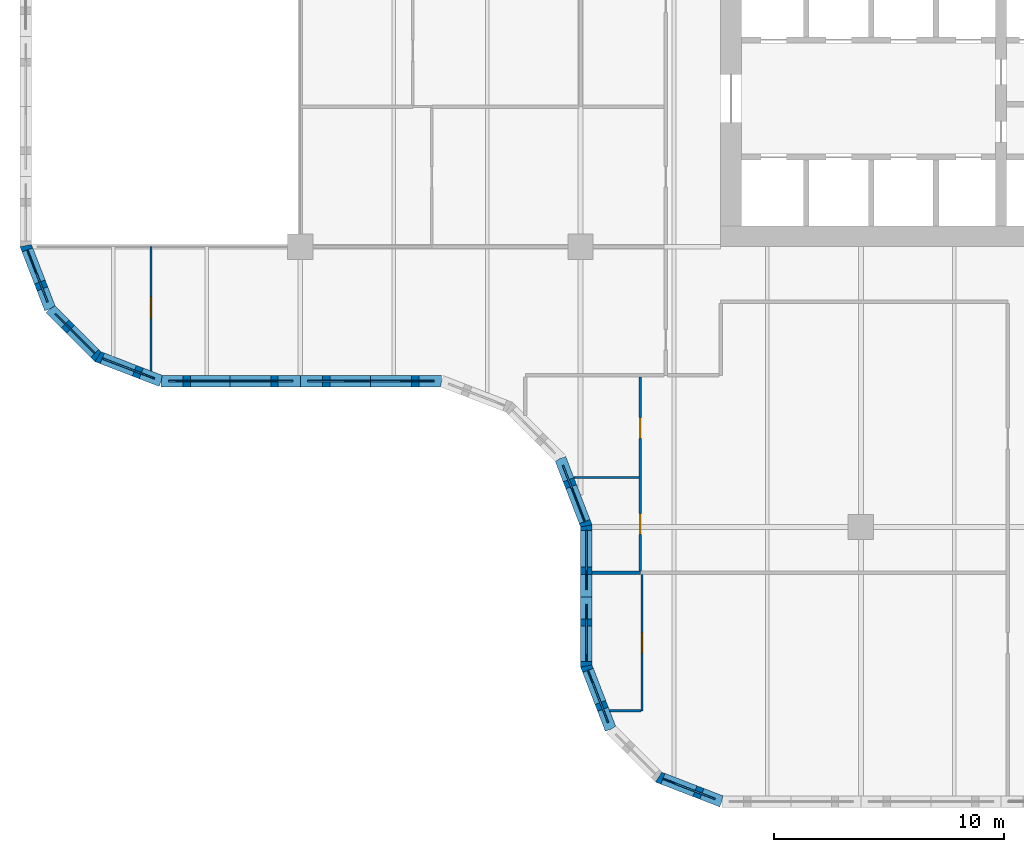
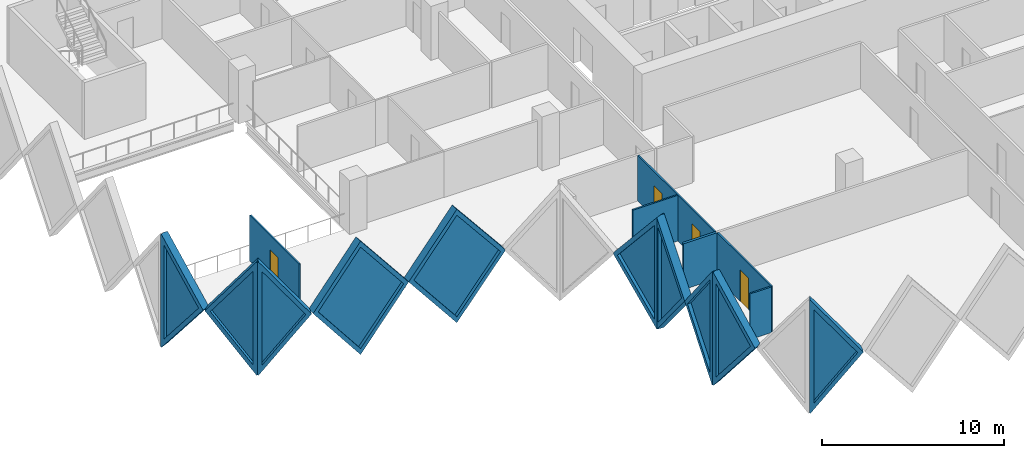
# One storey, part 4 of 19: 16 walls, 10 plates, 4 doors, 14 openings.
"""IFC4 building model written with IfcOpenShell, lengths in metres."""

from ifc_helpers import new_model, si_unit, direction, frame, frame_2d, origin, place, context, subcontext, project, spatial, polyline, rectangle, outline, extrude, faceted_brep, source, transform, mapped, material, layer, layer_set, type_object, element, fill, save


model = new_model("IFC4")

# Units and contexts
model_context = context("Model", 3, precision=1e-05, world=origin(), true_north=direction((0.0, 1.0)))
body_context = subcontext(model_context, "Body", "Model", "MODEL_VIEW")
ifc_project = project(units=[si_unit("LENGTHUNIT", "METRE"), si_unit("AREAUNIT", "SQUARE_METRE"), si_unit("VOLUMEUNIT", "CUBIC_METRE"), si_unit("PLANEANGLEUNIT", "RADIAN"), si_unit("MASSUNIT", "GRAM", prefix="KILO")], contexts=[model_context])

# Site, building, storey
site_placement = place(None, origin())
site = spatial("IfcSite", under=ifc_project, at=site_placement, CompositionType="ELEMENT")
building_placement = place(site_placement, origin())
building = spatial("IfcBuilding", under=site, at=building_placement, Name="Tessera Gate Towers", CompositionType="ELEMENT")
storey_placement = place(building_placement, frame((0.0, 0.0, 29.60009765625)))
storey = spatial("IfcBuildingStorey", under=building, at=storey_placement, Name="L06", CompositionType="ELEMENT", Elevation=29.60009765625)

# Wall, opening, door
ifc_material_1 = material(Name="Glass", Category="glass")
ifc_layer_1 = layer(ifc_material_1, 0.10009765625)
ifc_layer_set_1 = layer_set([ifc_layer_1], Name="GLAZED PARTITION 100")
wall_type_1 = type_object("IfcWallType", Name="GLAZED PARTITION 100", PredefinedType="PARTITIONING", material=ifc_layer_set_1)
wall_1_placement = place(storey_placement, frame((5.699951171875, 18.990234375, 0.0), z_axis=(0.0, 0.0, 1.0), x_axis=(0.0, 1.0, 0.0)))
wall_1 = element("IfcWall", 1, at=wall_1_placement, inside=storey, type_object=wall_type_1, Name="T1-L06-PW-023", PredefinedType="PARTITIONING", context=body_context, shape_type="SweptSolid", body=[
    extrude(rectangle(XDim=5.40966796875, YDim=0.10009765625, at=frame_2d((2.704833984375, 0.0))), origin(), (0.0, 0.0, 1.0), 3.06689453125),
])
shared_shape_1 = source(origin(), body_context, "Body", "SweptSolid", [
    extrude(rectangle(XDim=0.89990234375, YDim=2.10009765625, at=frame_2d((0.449951171875, 1.050048828125))), frame((0.0, 0.06005859375, 0.0), z_axis=(0.0, -1.0, 0.0), x_axis=(1.0, 0.0, 0.0)), (0.0, 0.0, 1.0), 0.1201171875),
])
opening_1_placement = place(wall_1_placement, frame((2.300048828125, 0.0, 0.0)))
opening_1 = element("IfcOpeningElement", 2, at=opening_1_placement, cuts=wall_1, Name="Opening D690-A02-01", PredefinedType="OPENING", context=body_context, shape_type="MappedRepresentation", body=[
    mapped(shared_shape_1, transform((0.0, 0.0, 0.0), scale=1.0)),
])
ifc_material_2 = material(Name="Glass in aluminium frame", Category="aluminium")
door_type_1 = type_object("IfcDoorType", Name="GLAZED DOOR 900 NOT RATED", OperationType="NOTDEFINED", PredefinedType="DOOR", material=ifc_material_2)
shared_shape_2 = source(origin(), body_context, "Body", "SweptSolid", [
    extrude(rectangle(XDim=0.89990234375, YDim=2.10009765625, at=frame_2d((0.449951171875, 1.050048828125))), frame((0.0, 0.02490234375, 0.0), z_axis=(0.0, -1.0, 0.0), x_axis=(1.0, 0.0, 0.0)), (0.0, 0.0, 1.0), 0.050048828125),
])
door_1_placement = place(opening_1_placement, origin())
door_1 = element("IfcDoor", 3, at=door_1_placement, inside=storey, type_object=door_type_1, Name="T1-L06-PD-014", OperationType="SINGLE_SWING_LEFT", OverallHeight=2.10009765625, OverallWidth=0.89990234375, PredefinedType="DOOR", context=body_context, shape_type="MappedRepresentation", body=[
    mapped(shared_shape_2, transform((0.0, 0.0, 0.0), scale=1.0)),
])
fill(opening_1, door_1)

# Wall
ifc_material_3 = material(Name="Gypsum board on steel studs", Category="steel")
ifc_layer_2 = layer(ifc_material_3, 0.10009765625)
ifc_layer_set_2 = layer_set([ifc_layer_2], Name="PARTITION 100")
wall_type_2 = type_object("IfcWallType", Name="PARTITION 100", PredefinedType="PARTITIONING", material=ifc_layer_set_2)
wall_2_placement = place(storey_placement, frame((25.668701171875, 4.199951171875, 0.0), z_axis=(0.0, 0.0, 1.0), x_axis=(1.0, 0.0, 0.0)))
element("IfcWall", 4, at=wall_2_placement, inside=storey, type_object=wall_type_2, Name="T1-L06-PW-003", PredefinedType="PARTITIONING", context=body_context, shape_type="SweptSolid", body=[
    extrude(rectangle(XDim=1.355224609375, YDim=0.10009765625, at=frame_2d((0.677734375, 0.0))), origin(), (0.0, 0.0, 1.0), 3.06689453125),
])

# Wall, opening, door
wall_3_placement = place(storey_placement, frame((27.074951171875, 4.199951171875, 0.0), z_axis=(0.0, 0.0, 1.0), x_axis=(0.0, 1.0, 0.0)))
wall_3 = element("IfcWall", 5, at=wall_3_placement, inside=storey, type_object=wall_type_2, Name="T1-L06-PW-004", PredefinedType="PARTITIONING", context=body_context, shape_type="SweptSolid", body=[
    extrude(rectangle(XDim=5.924072265625, YDim=0.10009765625, at=frame_2d((2.9619140625, 0.0))), origin(), (0.0, 0.0, 1.0), 3.06689453125),
])
opening_2_placement = place(wall_3_placement, frame((2.5, 0.0, 0.0)))
opening_2 = element("IfcOpeningElement", 6, at=opening_2_placement, cuts=wall_3, Name="Opening D190-A02-13", PredefinedType="OPENING", context=body_context, shape_type="MappedRepresentation", body=[
    mapped(shared_shape_1, transform((0.0, 0.0, 0.0), scale=1.0)),
])
ifc_material_4 = material(Name="Timber door leaf in steel frame", Category="steel")
door_type_2 = type_object("IfcDoorType", Name="INTERNAL DOOR 900 NOT RATED", OperationType="NOTDEFINED", PredefinedType="DOOR", material=ifc_material_4)
door_2_placement = place(opening_2_placement, origin())
door_2 = element("IfcDoor", 7, at=door_2_placement, inside=storey, type_object=door_type_2, Name="T1-L06-PD-022", OperationType="SINGLE_SWING_LEFT", OverallHeight=2.10009765625, OverallWidth=0.89990234375, PredefinedType="DOOR", context=body_context, shape_type="MappedRepresentation", body=[
    mapped(shared_shape_2, transform((0.0, 0.0, 0.0), scale=1.0)),
])
fill(opening_2, door_2)

# Wall, openings, doors
wall_4_placement = place(storey_placement, frame((27.0, 10.27587890625, 0.0), z_axis=(0.0, 0.0, 1.0), x_axis=(0.0, 1.0, 0.0)))
wall_4 = element("IfcWall", 8, at=wall_4_placement, inside=storey, type_object=wall_type_2, Name="T1-L06-PW-010", PredefinedType="PARTITIONING", context=body_context, shape_type="SweptSolid", body=[
    extrude(rectangle(XDim=8.4482421875, YDim=0.10009765625, at=frame_2d((4.22412109375, 0.0))), origin(), (0.0, 0.0, 1.0), 3.06689453125),
])
opening_3_placement = place(wall_4_placement, frame((1.60009765625, 0.0, 0.0)))
opening_3 = element("IfcOpeningElement", 9, at=opening_3_placement, cuts=wall_4, Name="Opening D190-A02-02", PredefinedType="OPENING", context=body_context, shape_type="MappedRepresentation", body=[
    mapped(shared_shape_1, transform((0.0, 0.0, 0.0), scale=1.0)),
])
opening_4_placement = place(wall_4_placement, frame((5.778564453125, 0.0, 0.0)))
opening_4 = element("IfcOpeningElement", 10, at=opening_4_placement, cuts=wall_4, Name="Opening D190-A02-06", PredefinedType="OPENING", context=body_context, shape_type="MappedRepresentation", body=[
    mapped(shared_shape_1, transform((0.0, 0.0, 0.0), scale=1.0)),
])
door_3_placement = place(opening_3_placement, origin())
door_3 = element("IfcDoor", 11, at=door_3_placement, inside=storey, type_object=door_type_2, Name="T1-L06-PD-003", OperationType="SINGLE_SWING_LEFT", OverallHeight=2.10009765625, OverallWidth=0.89990234375, PredefinedType="DOOR", context=body_context, shape_type="MappedRepresentation", body=[
    mapped(shared_shape_2, transform((0.0, 0.0, 0.0), scale=1.0)),
])
fill(opening_3, door_3)
door_4_placement = place(opening_4_placement, origin())
door_4 = element("IfcDoor", 12, at=door_4_placement, inside=storey, type_object=door_type_2, Name="T1-L06-PD-007", OperationType="SINGLE_SWING_LEFT", OverallHeight=2.10009765625, OverallWidth=0.89990234375, PredefinedType="DOOR", context=body_context, shape_type="MappedRepresentation", body=[
    mapped(shared_shape_2, transform((0.0, 0.0, 0.0), scale=1.0)),
])
fill(opening_4, door_4)

# Walls
wall_5_placement = place(storey_placement, frame((24.104736328125, 14.35498046875, 0.0), z_axis=(0.0, 0.0, 1.0), x_axis=(1.0, 0.0, 0.0)))
element("IfcWall", 13, at=wall_5_placement, inside=storey, type_object=wall_type_2, Name="T1-L06-PW-013", PredefinedType="PARTITIONING", context=body_context, shape_type="SweptSolid", body=[
    extrude(rectangle(XDim=2.84423828125, YDim=0.10009765625, at=frame_2d((1.422119140625, 0.0))), origin(), (0.0, 0.0, 1.0), 3.06689453125),
])
ifc_material_5 = material(Name="Gypsum board on steel studs, mineral wool", Category="steel")
ifc_layer_3 = layer(ifc_material_5, 0.14990234375)
ifc_layer_set_3 = layer_set([ifc_layer_3], Name="TENANCY WALL 150")
wall_type_3 = type_object("IfcWallType", Name="TENANCY WALL 150", PredefinedType="PARTITIONING", material=ifc_layer_set_3)
wall_6_placement = place(storey_placement, frame((24.89990234375, 10.199951171875, 0.0), z_axis=(0.0, 0.0, 1.0), x_axis=(1.0, 0.0, 0.0)))
element("IfcWall", 14, at=wall_6_placement, inside=storey, type_object=wall_type_3, Name="T1-L06-PW-008", PredefinedType="PARTITIONING", context=body_context, shape_type="SweptSolid", body=[
    extrude(rectangle(XDim=2.10009765625, YDim=0.14990234375, at=frame_2d((1.050048828125, 0.0))), origin(), (0.0, 0.0, 1.0), 3.06689453125),
])

# Wall, opening, plate
ifc_material_6 = material(Name="Precast concrete C60/75 white", Category="concrete")
ifc_layer_4 = layer(ifc_material_6, 0.5)
ifc_layer_set_4 = layer_set([ifc_layer_4], Name="TS1 tessera")
wall_type_4 = type_object("IfcWallType", Name="TS1 tessera", PredefinedType="SOLIDWALL", material=ifc_layer_set_4)
shared_shape_3 = source(origin(), body_context, "Body", "Brep", [
    faceted_brep([(3.00341796875, -0.25, 0.0), (6.053466796875, -0.25, 3.800048828125), (3.00341796875, -0.25, 7.599853515625), (0.0, -0.25, 3.800048828125), (0.046630859375, 0.25, 3.85888671875), (3.00341796875, 0.25, 7.599853515625), (6.053466796875, 0.25, 3.800048828125), (3.00341796875, 0.25, 0.0), (0.046630859375, 0.25, 3.7412109375), (0.0, 0.0, 3.800048828125)], [[[0, 1, 2, 3]], [[4, 5, 6, 7, 8]], [[7, 6, 1, 0]], [[6, 5, 2, 1]], [[5, 4, 9, 3, 2]], [[8, 7, 0, 3, 9]], [[8, 9, 4]]]),
])
wall_7_placement = place(storey_placement, frame((6.146484375, 18.550048828125, -3.800048828125), z_axis=(0.0, 0.0, 1.0), x_axis=(1.0, 0.0, 0.0)))
wall_7 = element("IfcWall", 15, at=wall_7_placement, inside=storey, type_object=wall_type_4, Name="Precast tessera T1 TS1-0044", PredefinedType="SOLIDWALL", context=body_context, shape_type="MappedRepresentation", body=[
    mapped(shared_shape_3, transform((0.0, 0.0, 0.0), scale=1.0)),
])
shared_shape_4 = source(origin(), body_context, "Body", "SweptSolid", [
    extrude(outline(polyline([(3.0048828125, 0.401123046875), (5.73291015625, 3.800048828125), (3.0048828125, 7.19873046875), (0.318603515625, 3.800048828125), (3.0048828125, 0.401123046875)])), frame((0.0, 0.260009765625, 0.0), z_axis=(0.0, -1.0, 0.0), x_axis=(1.0, 0.0, 0.0)), (0.0, 0.0, 1.0), 0.52001953125),
])
opening_5_placement = place(wall_7_placement, origin())
opening_5 = element("IfcOpeningElement", 16, at=opening_5_placement, cuts=wall_7, Name="Opening T1-PL2-0084", PredefinedType="OPENING", context=body_context, shape_type="MappedRepresentation", body=[
    mapped(shared_shape_4, transform((0.0, 0.0, 0.0), scale=1.0)),
])
ifc_material_7 = material(Name="Low-e laminated glass", Category="glass")
ifc_layer_5 = layer(ifc_material_7, 0.06005859375)
ifc_layer_set_5 = layer_set([ifc_layer_5], Name="PL2 rhombic pane")
plate_type = type_object("IfcPlateType", Name="PL2 rhombic pane", PredefinedType="SHEET", material=ifc_layer_set_5)
shared_shape_5 = source(origin(), body_context, "Body", "SweptSolid", [
    extrude(outline(polyline([(3.0048828125, 0.401123046875), (5.73291015625, 3.800048828125), (3.0048828125, 7.19873046875), (0.318603515625, 3.800048828125), (3.0048828125, 0.401123046875)])), frame((0.0, 0.030029296875, 0.0), z_axis=(0.0, -1.0, 0.0), x_axis=(1.0, 0.0, 0.0)), (0.0, 0.0, 1.0), 0.06005859375),
])
plate_1_placement = place(opening_5_placement, origin())
plate_1 = element("IfcPlate", 17, at=plate_1_placement, inside=storey, type_object=plate_type, Name="Glass pane T1 PL2-0084", PredefinedType="SHEET", context=body_context, shape_type="MappedRepresentation", body=[
    mapped(shared_shape_5, transform((0.0, 0.0, 0.0), scale=1.0)),
])
fill(opening_5, plate_1)

ifc_material_8 = material(Name="Precast concrete C60/75 white", Category="concrete")
ifc_layer_6 = layer(ifc_material_8, 0.5)
ifc_layer_set_6 = layer_set([ifc_layer_6], Name="TS3 corner tessera")
wall_type_5 = type_object("IfcWallType", Name="TS3 corner tessera", PredefinedType="SOLIDWALL", material=ifc_layer_set_6)
shared_shape_6 = source(origin(), body_context, "Body", "Brep", [
    faceted_brep([(3.00341796875, -0.25, 0.0), (3.050048828125, -0.25, 0.06005859375), (3.050048828125, -0.25, 7.539794921875), (3.00341796875, -0.25, 7.599853515625), (0.0, -0.25, 3.800048828125), (0.0, 0.25, 3.800048828125), (2.956787109375, 0.25, 7.541015625), (2.956787109375, 0.25, 0.058837890625), (3.00341796875, 0.000244140625, 0.0), (3.00341796875, 0.000244140625, 7.599853515625)], [[[0, 1, 2, 3, 4]], [[5, 6, 7]], [[1, 0, 8]], [[9, 3, 2]], [[6, 5, 4, 3, 9]], [[5, 7, 8, 0, 4]], [[1, 8, 7, 6, 9, 2]]]),
])
wall_8_placement = place(storey_placement, frame((24.64990234375, 9.14990234375, -3.800048828125), z_axis=(0.0, 0.0, 1.0), x_axis=(0.0, -1.0, 0.0)))
wall_8 = element("IfcWall", 18, at=wall_8_placement, inside=storey, type_object=wall_type_5, Name="Precast corner tessera T1 TS3-0117", PredefinedType="SOLIDWALL", context=body_context, shape_type="MappedRepresentation", body=[
    mapped(shared_shape_6, transform((0.0, 0.0, 0.0), scale=1.0)),
])
shared_shape_7 = source(origin(), body_context, "Body", "SweptSolid", [
    extrude(outline(polyline([(2.803466796875, 6.94384765625), (0.318603515625, 3.800048828125), (2.803466796875, 0.65625), (2.803466796875, 6.94384765625)])), frame((0.0, 0.260009765625, 0.0), z_axis=(0.0, -1.0, 0.0), x_axis=(1.0, 0.0, 0.0)), (0.0, 0.0, 1.0), 0.52001953125),
])
opening_6_placement = place(wall_8_placement, origin())
opening_6 = element("IfcOpeningElement", 19, at=opening_6_placement, cuts=wall_8, Name="Opening T1-PL2-0090", PredefinedType="OPENING", context=body_context, shape_type="MappedRepresentation", body=[
    mapped(shared_shape_7, transform((0.0, 0.0, 0.0), scale=1.0)),
])
shared_shape_8 = source(origin(), body_context, "Body", "SweptSolid", [
    extrude(outline(polyline([(2.803466796875, 6.94384765625), (0.318603515625, 3.800048828125), (2.803466796875, 0.65625), (2.803466796875, 6.94384765625)])), frame((0.0, 0.030029296875, 0.0), z_axis=(0.0, -1.0, 0.0), x_axis=(1.0, 0.0, 0.0)), (0.0, 0.0, 1.0), 0.06005859375),
])
plate_2_placement = place(opening_6_placement, origin())
plate_2 = element("IfcPlate", 20, at=plate_2_placement, inside=storey, type_object=plate_type, Name="Glass pane T1 PL2-0090", PredefinedType="SHEET", context=body_context, shape_type="MappedRepresentation", body=[
    mapped(shared_shape_8, transform((0.0, 0.0, 0.0), scale=1.0)),
])
fill(opening_6, plate_2)

shared_shape_9 = source(origin(), body_context, "Body", "Brep", [
    faceted_brep([(0.046630859375, -0.25, 0.0), (2.9970703125, -0.25, 3.800048828125), (0.046630859375, -0.25, 7.599853515625), (0.0, -0.25, 7.541015625), (0.0, -0.25, 0.058837890625), (0.09326171875, 0.25, 7.539794921875), (2.9443359375, 0.25, 3.8681640625), (2.9443359375, 0.25, 3.73193359375), (0.09326171875, 0.25, 0.06005859375), (2.9970703125, 0.00048828125, 3.800048828125), (0.046630859375, 0.0, 0.0), (0.046630859375, 0.0, 7.599853515625)], [[[0, 1, 2, 3, 4]], [[5, 6, 7, 8]], [[8, 7, 9, 1, 0, 10]], [[6, 5, 11, 2, 1, 9]], [[3, 2, 11]], [[10, 0, 4]], [[8, 10, 4, 3, 11, 5]], [[7, 6, 9]]]),
])
wall_9_placement = place(storey_placement, frame((0.233154296875, 24.489990234375, -3.800048828125), z_axis=(0.0, 0.0, 1.0), x_axis=(0.359901446078, -0.932990326376, 0.0)))
wall_9 = element("IfcWall", 21, at=wall_9_placement, inside=storey, type_object=wall_type_5, Name="Precast corner tessera T1 TS3-0110", PredefinedType="SOLIDWALL", context=body_context, shape_type="MappedRepresentation", body=[
    mapped(shared_shape_9, transform((0.0, 0.0, 0.0), scale=1.0)),
])
shared_shape_10 = source(origin(), body_context, "Body", "SweptSolid", [
    extrude(outline(polyline([(0.24658203125, 0.665283203125), (2.6806640625, 3.800048828125), (0.24658203125, 6.934814453125), (0.24658203125, 0.665283203125)])), frame((0.0, 0.260009765625, 0.0), z_axis=(0.0, -1.0, 0.0), x_axis=(1.0, 0.0, 0.0)), (0.0, 0.0, 1.0), 0.52001953125),
])
opening_7_placement = place(wall_9_placement, origin())
opening_7 = element("IfcOpeningElement", 22, at=opening_7_placement, cuts=wall_9, Name="Opening T1-PL2-0081", PredefinedType="OPENING", context=body_context, shape_type="MappedRepresentation", body=[
    mapped(shared_shape_10, transform((0.0, 0.0, 0.0), scale=1.0)),
])
shared_shape_11 = source(origin(), body_context, "Body", "SweptSolid", [
    extrude(outline(polyline([(0.24658203125, 0.665283203125), (2.6806640625, 3.800048828125), (0.24658203125, 6.934814453125), (0.24658203125, 0.665283203125)])), frame((0.0, 0.030029296875, 0.0), z_axis=(0.0, -1.0, 0.0), x_axis=(1.0, 0.0, 0.0)), (0.0, 0.0, 1.0), 0.06005859375),
])
plate_3_placement = place(opening_7_placement, origin())
plate_3 = element("IfcPlate", 23, at=plate_3_placement, inside=storey, type_object=plate_type, Name="Glass pane T1 PL2-0081", PredefinedType="SHEET", context=body_context, shape_type="MappedRepresentation", body=[
    mapped(shared_shape_11, transform((0.0, 0.0, 0.0), scale=1.0)),
])
fill(opening_7, plate_3)

wall_10_placement = place(storey_placement, frame((24.63330078125, 6.18994140625, -3.800048828125), z_axis=(0.0, 0.0, 1.0), x_axis=(0.359901446078, -0.932990326376, 0.0)))
wall_10 = element("IfcWall", 24, at=wall_10_placement, inside=storey, type_object=wall_type_5, Name="Precast corner tessera T1 TS3-0118", PredefinedType="SOLIDWALL", context=body_context, shape_type="MappedRepresentation", body=[
    mapped(shared_shape_9, transform((0.0, 0.0, 0.0), scale=1.0)),
])
opening_8_placement = place(wall_10_placement, origin())
opening_8 = element("IfcOpeningElement", 25, at=opening_8_placement, cuts=wall_10, Name="Opening T1-PL2-0091", PredefinedType="OPENING", context=body_context, shape_type="MappedRepresentation", body=[
    mapped(shared_shape_10, transform((0.0, 0.0, 0.0), scale=1.0)),
])
plate_4_placement = place(opening_8_placement, origin())
plate_4 = element("IfcPlate", 26, at=plate_4_placement, inside=storey, type_object=plate_type, Name="Glass pane T1 PL2-0091", PredefinedType="SHEET", context=body_context, shape_type="MappedRepresentation", body=[
    mapped(shared_shape_11, transform((0.0, 0.0, 0.0), scale=1.0)),
])
fill(opening_8, plate_4)

shared_shape_12 = source(origin(), body_context, "Body", "Brep", [
    faceted_brep([(0.052978515625, -0.25, 0.0), (3.00341796875, -0.25, 3.800048828125), (0.052978515625, -0.25, 7.599853515625), (0.0, -0.25, 7.531494140625), (0.0, -0.25, 0.068359375), (0.10595703125, 0.25, 7.53173828125), (2.95703125, 0.25, 3.85986328125), (2.95703125, 0.25, 3.740234375), (0.10595703125, 0.25, 0.068115234375), (3.00341796875, 0.00048828125, 3.800048828125), (0.052978515625, 0.0, 0.0), (0.052978515625, 0.0, 7.599853515625)], [[[0, 1, 2, 3, 4]], [[5, 6, 7, 8]], [[8, 7, 9, 1, 0, 10]], [[6, 5, 11, 2, 1, 9]], [[3, 2, 11]], [[10, 0, 4]], [[8, 10, 4, 3, 11, 5]], [[7, 6, 9]]]),
])
wall_11_placement = place(storey_placement, frame((3.34423828125, 19.630859375, -3.800048828125), z_axis=(0.0, 0.0, 1.0), x_axis=(0.933007896601, -0.359855894603, 0.0)))
wall_11 = element("IfcWall", 27, at=wall_11_placement, inside=storey, type_object=wall_type_5, Name="Precast corner tessera T1 TS3-0112", PredefinedType="SOLIDWALL", context=body_context, shape_type="MappedRepresentation", body=[
    mapped(shared_shape_12, transform((0.0, 0.0, 0.0), scale=1.0)),
])
shared_shape_13 = source(origin(), body_context, "Body", "SweptSolid", [
    extrude(outline(polyline([(0.2529296875, 0.665283203125), (2.68701171875, 3.800048828125), (0.2529296875, 6.934814453125), (0.2529296875, 0.665283203125)])), frame((0.0, 0.260009765625, 0.0), z_axis=(0.0, -1.0, 0.0), x_axis=(1.0, 0.0, 0.0)), (0.0, 0.0, 1.0), 0.52001953125),
])
opening_9_placement = place(wall_11_placement, origin())
opening_9 = element("IfcOpeningElement", 28, at=opening_9_placement, cuts=wall_11, Name="Opening T1-PL2-0083", PredefinedType="OPENING", context=body_context, shape_type="MappedRepresentation", body=[
    mapped(shared_shape_13, transform((0.0, 0.0, 0.0), scale=1.0)),
])
shared_shape_14 = source(origin(), body_context, "Body", "SweptSolid", [
    extrude(outline(polyline([(0.2529296875, 0.665283203125), (2.68701171875, 3.800048828125), (0.2529296875, 6.934814453125), (0.2529296875, 0.665283203125)])), frame((0.0, 0.030029296875, 0.0), z_axis=(0.0, -1.0, 0.0), x_axis=(1.0, 0.0, 0.0)), (0.0, 0.0, 1.0), 0.06005859375),
])
plate_5_placement = place(opening_9_placement, origin())
plate_5 = element("IfcPlate", 29, at=plate_5_placement, inside=storey, type_object=plate_type, Name="Glass pane T1 PL2-0083", PredefinedType="SHEET", context=body_context, shape_type="MappedRepresentation", body=[
    mapped(shared_shape_14, transform((0.0, 0.0, 0.0), scale=1.0)),
])
fill(opening_9, plate_5)

wall_12_placement = place(storey_placement, frame((27.744384765625, 1.3310546875, -3.800048828125), z_axis=(0.0, 0.0, 1.0), x_axis=(0.932970071518, -0.359953949349, 0.0)))
wall_12 = element("IfcWall", 30, at=wall_12_placement, inside=storey, type_object=wall_type_5, Name="Precast corner tessera T1 TS3-0120", PredefinedType="SOLIDWALL", context=body_context, shape_type="MappedRepresentation", body=[
    mapped(shared_shape_12, transform((0.0, 0.0, 0.0), scale=1.0)),
])
opening_10_placement = place(wall_12_placement, origin())
opening_10 = element("IfcOpeningElement", 31, at=opening_10_placement, cuts=wall_12, Name="Opening T1-PL2-0093", PredefinedType="OPENING", context=body_context, shape_type="MappedRepresentation", body=[
    mapped(shared_shape_13, transform((0.0, 0.0, 0.0), scale=1.0)),
])
plate_6_placement = place(opening_10_placement, origin())
plate_6 = element("IfcPlate", 32, at=plate_6_placement, inside=storey, type_object=plate_type, Name="Glass pane T1 PL2-0093", PredefinedType="SHEET", context=body_context, shape_type="MappedRepresentation", body=[
    mapped(shared_shape_14, transform((0.0, 0.0, 0.0), scale=1.0)),
])
fill(opening_10, plate_6)

shared_shape_15 = source(origin(), body_context, "Body", "Brep", [
    faceted_brep([(2.944091796875, -0.25, 0.0), (2.9970703125, -0.25, 0.068115234375), (2.9970703125, -0.25, 7.53173828125), (2.944091796875, -0.25, 7.599853515625), (0.0, -0.25, 3.800048828125), (0.052978515625, 0.25, 3.868408203125), (2.89111328125, 0.25, 7.53173828125), (2.89111328125, 0.25, 0.068115234375), (0.052978515625, 0.25, 3.731689453125), (2.944091796875, 0.000244140625, 0.0), (2.944091796875, 0.000244140625, 7.599853515625), (0.0, 0.0, 3.800048828125)], [[[0, 1, 2, 3, 4]], [[5, 6, 7, 8]], [[1, 0, 9]], [[10, 3, 2]], [[6, 5, 11, 4, 3, 10]], [[8, 7, 9, 0, 4, 11]], [[8, 11, 5]], [[1, 9, 7, 6, 10, 2]]]),
])
wall_13_placement = place(storey_placement, frame((1.31201171875, 21.69384765625, -3.800048828125), z_axis=(0.0, 0.0, 1.0), x_axis=(0.707066050402, -0.707147509625, 0.0)))
wall_13 = element("IfcWall", 33, at=wall_13_placement, inside=storey, type_object=wall_type_5, Name="Precast corner tessera T1 TS3-0111", PredefinedType="SOLIDWALL", context=body_context, shape_type="MappedRepresentation", body=[
    mapped(shared_shape_15, transform((0.0, 0.0, 0.0), scale=1.0)),
])
shared_shape_16 = source(origin(), body_context, "Body", "SweptSolid", [
    extrude(outline(polyline([(2.744140625, 6.93359375), (0.316162109375, 3.800048828125), (2.744140625, 0.666259765625), (2.744140625, 6.93359375)])), frame((0.0, 0.260009765625, 0.0), z_axis=(0.0, -1.0, 0.0), x_axis=(1.0, 0.0, 0.0)), (0.0, 0.0, 1.0), 0.52001953125),
])
opening_11_placement = place(wall_13_placement, origin())
opening_11 = element("IfcOpeningElement", 34, at=opening_11_placement, cuts=wall_13, Name="Opening T1-PL2-0082", PredefinedType="OPENING", context=body_context, shape_type="MappedRepresentation", body=[
    mapped(shared_shape_16, transform((0.0, 0.0, 0.0), scale=1.0)),
])
shared_shape_17 = source(origin(), body_context, "Body", "SweptSolid", [
    extrude(outline(polyline([(2.744140625, 6.93359375), (0.316162109375, 3.800048828125), (2.744140625, 0.666259765625), (2.744140625, 6.93359375)])), frame((0.0, 0.030029296875, 0.0), z_axis=(0.0, -1.0, 0.0), x_axis=(1.0, 0.0, 0.0)), (0.0, 0.0, 1.0), 0.06005859375),
])
plate_7_placement = place(opening_11_placement, origin())
plate_7 = element("IfcPlate", 35, at=plate_7_placement, inside=storey, type_object=plate_type, Name="Glass pane T1 PL2-0082", PredefinedType="SHEET", context=body_context, shape_type="MappedRepresentation", body=[
    mapped(shared_shape_17, transform((0.0, 0.0, 0.0), scale=1.0)),
])
fill(opening_11, plate_7)

shared_shape_18 = source(origin(), body_context, "Body", "Brep", [
    faceted_brep([(3.050048828125, -0.25, 0.0), (6.10009765625, -0.25, 3.742919921875), (6.10009765625, -0.25, 3.857177734375), (3.050048828125, -0.25, 7.599853515625), (0.0, -0.25, 3.800048828125), (0.0, 0.25, 3.800048828125), (3.050048828125, 0.25, 7.599853515625), (6.146484375, 0.25, 3.800048828125), (3.050048828125, 0.25, 0.0), (6.146484375, -0.000244140625, 3.800048828125)], [[[0, 1, 2, 3, 4]], [[5, 6, 7, 8]], [[8, 7, 9, 1, 0]], [[7, 6, 3, 2, 9]], [[6, 5, 4, 3]], [[5, 8, 0, 4]], [[1, 9, 2]]]),
])
wall_14_placement = place(storey_placement, frame((12.199951171875, 18.550048828125, -3.800048828125), z_axis=(0.0, 0.0, 1.0), x_axis=(1.0, 0.0, 0.0)))
wall_14 = element("IfcWall", 36, at=wall_14_placement, inside=storey, type_object=wall_type_4, Name="Precast tessera T1 TS1-0045", PredefinedType="SOLIDWALL", context=body_context, shape_type="MappedRepresentation", body=[
    mapped(shared_shape_18, transform((0.0, 0.0, 0.0), scale=1.0)),
])
shared_shape_19 = source(origin(), body_context, "Body", "SweptSolid", [
    extrude(outline(polyline([(3.051513671875, 0.3974609375), (5.823974609375, 3.800048828125), (3.051513671875, 7.202392578125), (0.320556640625, 3.800048828125), (3.051513671875, 0.3974609375)])), frame((0.0, 0.260009765625, 0.0), z_axis=(0.0, -1.0, 0.0), x_axis=(1.0, 0.0, 0.0)), (0.0, 0.0, 1.0), 0.52001953125),
])
opening_12_placement = place(wall_14_placement, origin())
opening_12 = element("IfcOpeningElement", 37, at=opening_12_placement, cuts=wall_14, Name="Opening T1-PL2-0085", PredefinedType="OPENING", context=body_context, shape_type="MappedRepresentation", body=[
    mapped(shared_shape_19, transform((0.0, 0.0, 0.0), scale=1.0)),
])
shared_shape_20 = source(origin(), body_context, "Body", "SweptSolid", [
    extrude(outline(polyline([(3.051513671875, 0.3974609375), (5.823974609375, 3.800048828125), (3.051513671875, 7.202392578125), (0.320556640625, 3.800048828125), (3.051513671875, 0.3974609375)])), frame((0.0, 0.030029296875, 0.0), z_axis=(0.0, -1.0, 0.0), x_axis=(1.0, 0.0, 0.0)), (0.0, 0.0, 1.0), 0.06005859375),
])
plate_8_placement = place(opening_12_placement, origin())
plate_8 = element("IfcPlate", 38, at=plate_8_placement, inside=storey, type_object=plate_type, Name="Glass pane T1 PL2-0085", PredefinedType="SHEET", context=body_context, shape_type="MappedRepresentation", body=[
    mapped(shared_shape_20, transform((0.0, 0.0, 0.0), scale=1.0)),
])
fill(opening_12, plate_8)

shared_shape_21 = source(origin(), body_context, "Body", "Brep", [
    faceted_brep([(3.10302734375, -0.25, 7.543701171875), (0.052978515625, -0.25, 3.864013671875), (0.052978515625, -0.25, 3.736083984375), (3.10302734375, -0.25, 0.05615234375), (0.0, 0.25, 3.800048828125), (3.1494140625, 0.25, 7.599853515625), (3.196044921875, 0.25, 7.542724609375), (3.196044921875, 0.25, 0.05712890625), (3.1494140625, 0.25, 0.0), (3.1494140625, -0.000244140625, 0.0), (3.1494140625, -0.000244140625, 7.599853515625), (0.0, 0.0, 3.800048828125)], [[[0, 1, 2, 3]], [[4, 5, 6, 7, 8]], [[8, 7, 9]], [[6, 5, 10]], [[5, 4, 11, 1, 0, 10]], [[4, 8, 9, 3, 2, 11]], [[2, 1, 11]], [[3, 9, 7, 6, 10, 0]]]),
])
wall_15_placement = place(storey_placement, frame((23.5166015625, 15.18505859375, -3.800048828125), z_axis=(0.0, 0.0, 1.0), x_axis=(0.359864468756, -0.933004589553, 0.0)))
wall_15 = element("IfcWall", 39, at=wall_15_placement, inside=storey, type_object=wall_type_5, Name="Precast corner tessera T1 TS3-0115", PredefinedType="SOLIDWALL", context=body_context, shape_type="MappedRepresentation", body=[
    mapped(shared_shape_21, transform((0.0, 0.0, 0.0), scale=1.0)),
])
shared_shape_22 = source(origin(), body_context, "Body", "SweptSolid", [
    extrude(outline(polyline([(2.949462890625, 6.966796875), (0.32470703125, 3.800048828125), (2.949462890625, 0.633056640625), (2.949462890625, 6.966796875)])), frame((0.0, 0.260009765625, 0.0), z_axis=(0.0, -1.0, 0.0), x_axis=(1.0, 0.0, 0.0)), (0.0, 0.0, 1.0), 0.52001953125),
])
opening_13_placement = place(wall_15_placement, origin())
opening_13 = element("IfcOpeningElement", 40, at=opening_13_placement, cuts=wall_15, Name="Opening T1-PL2-0088", PredefinedType="OPENING", context=body_context, shape_type="MappedRepresentation", body=[
    mapped(shared_shape_22, transform((0.0, 0.0, 0.0), scale=1.0)),
])
shared_shape_23 = source(origin(), body_context, "Body", "SweptSolid", [
    extrude(outline(polyline([(2.949462890625, 6.966796875), (0.32470703125, 3.800048828125), (2.949462890625, 0.633056640625), (2.949462890625, 6.966796875)])), frame((0.0, 0.030029296875, 0.0), z_axis=(0.0, -1.0, 0.0), x_axis=(1.0, 0.0, 0.0)), (0.0, 0.0, 1.0), 0.06005859375),
])
plate_9_placement = place(opening_13_placement, origin())
plate_9 = element("IfcPlate", 41, at=plate_9_placement, inside=storey, type_object=plate_type, Name="Glass pane T1 PL2-0088", PredefinedType="SHEET", context=body_context, shape_type="MappedRepresentation", body=[
    mapped(shared_shape_23, transform((0.0, 0.0, 0.0), scale=1.0)),
])
fill(opening_13, plate_9)

shared_shape_24 = source(origin(), body_context, "Body", "Brep", [
    faceted_brep([(0.09326171875, -0.25, 0.05712890625), (3.14306640625, -0.25, 3.800048828125), (0.09326171875, -0.25, 7.542724609375), (0.0, 0.25, 7.543701171875), (0.046630859375, 0.25, 7.599853515625), (3.14306640625, 0.25, 3.800048828125), (0.046630859375, 0.25, 0.0), (0.0, 0.25, 0.05615234375), (0.046630859375, 0.0, 0.0), (0.046630859375, 0.0, 7.599853515625)], [[[0, 1, 2]], [[3, 4, 5, 6, 7]], [[6, 5, 1, 0, 8]], [[5, 4, 9, 2, 1]], [[4, 3, 9]], [[7, 6, 8]], [[7, 8, 0, 2, 9, 3]]]),
])
wall_16_placement = place(storey_placement, frame((24.64990234375, 12.293212890625, -3.800048828125), z_axis=(0.0, 0.0, 1.0), x_axis=(0.0, -1.0, 0.0)))
wall_16 = element("IfcWall", 42, at=wall_16_placement, inside=storey, type_object=wall_type_5, Name="Precast corner tessera T1 TS3-0116", PredefinedType="SOLIDWALL", context=body_context, shape_type="MappedRepresentation", body=[
    mapped(shared_shape_24, transform((0.0, 0.0, 0.0), scale=1.0)),
])
shared_shape_25 = source(origin(), body_context, "Body", "SweptSolid", [
    extrude(outline(polyline([(0.24658203125, 0.64111328125), (2.82080078125, 3.800048828125), (0.24658203125, 6.958740234375), (0.24658203125, 0.64111328125)])), frame((0.0, 0.260009765625, 0.0), z_axis=(0.0, -1.0, 0.0), x_axis=(1.0, 0.0, 0.0)), (0.0, 0.0, 1.0), 0.52001953125),
])
opening_14_placement = place(wall_16_placement, origin())
opening_14 = element("IfcOpeningElement", 43, at=opening_14_placement, cuts=wall_16, Name="Opening T1-PL2-0089", PredefinedType="OPENING", context=body_context, shape_type="MappedRepresentation", body=[
    mapped(shared_shape_25, transform((0.0, 0.0, 0.0), scale=1.0)),
])
shared_shape_26 = source(origin(), body_context, "Body", "SweptSolid", [
    extrude(outline(polyline([(0.24658203125, 0.64111328125), (2.82080078125, 3.800048828125), (0.24658203125, 6.958740234375), (0.24658203125, 0.64111328125)])), frame((0.0, 0.030029296875, 0.0), z_axis=(0.0, -1.0, 0.0), x_axis=(1.0, 0.0, 0.0)), (0.0, 0.0, 1.0), 0.06005859375),
])
plate_10_placement = place(opening_14_placement, origin())
plate_10 = element("IfcPlate", 44, at=plate_10_placement, inside=storey, type_object=plate_type, Name="Glass pane T1 PL2-0089", PredefinedType="SHEET", context=body_context, shape_type="MappedRepresentation", body=[
    mapped(shared_shape_26, transform((0.0, 0.0, 0.0), scale=1.0)),
])
fill(opening_14, plate_10)

save(model, "model.ifc")
